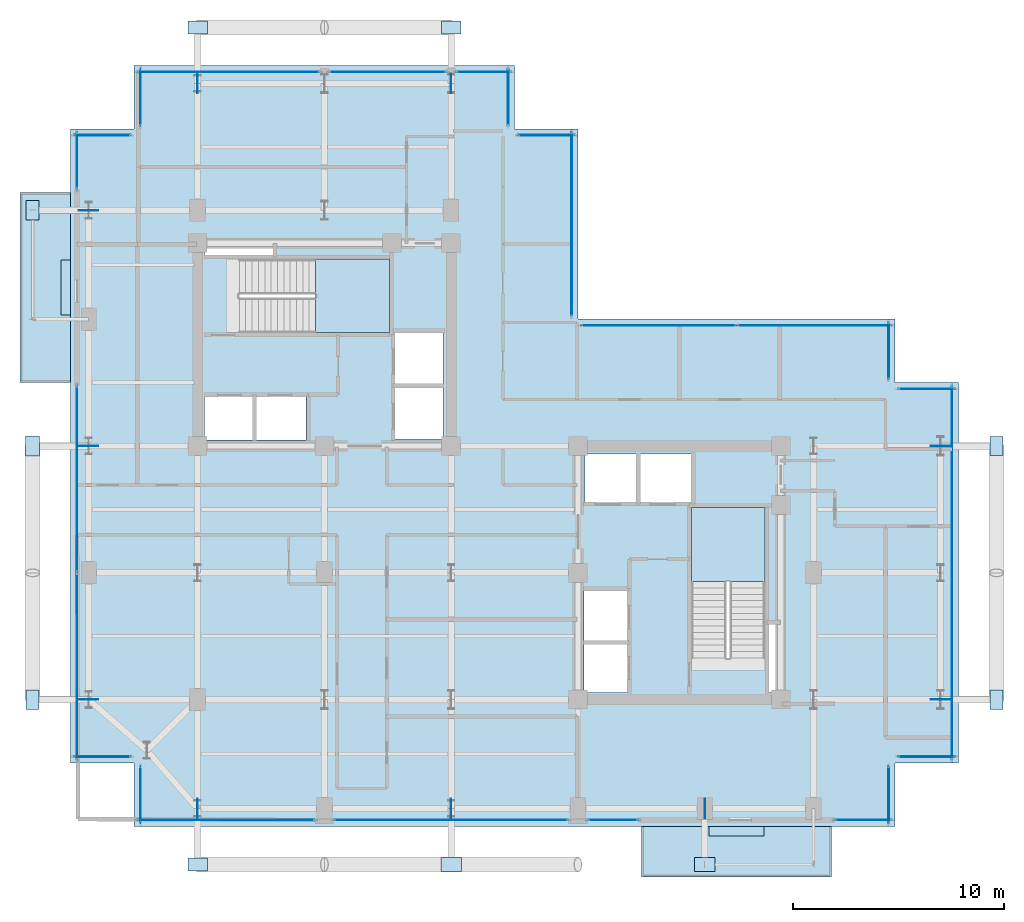
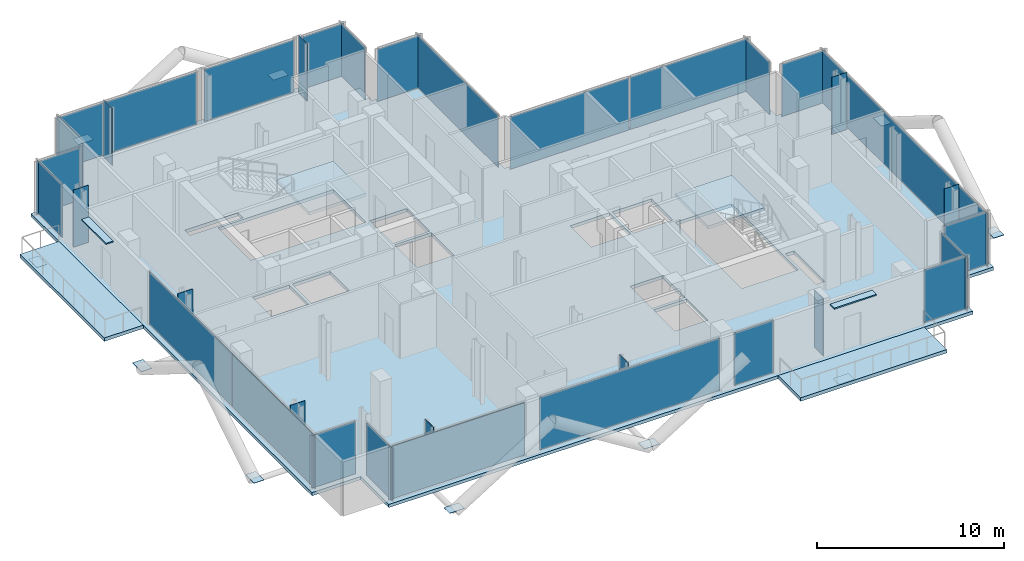
# One storey, part 16 of 25: 46 plates, 5 slabs, 24 elements without a shape of their own.
"""IFC4 building model written with IfcOpenShell, lengths in metres."""

from ifc_helpers import new_model, si_unit, direction, frame, origin, origin_2d, place, context, subcontext, project, spatial, polyline, rectangle, outline, extrude, material, layer, layer_set, type_object, element, aggregate, save


model = new_model("IFC4")

# Units and contexts
model_context = context("Model", 3, precision=1e-05, world=origin(), true_north=direction((0.0, 1.0)))
body_context = subcontext(model_context, "Body", "Model", "MODEL_VIEW")
ifc_project = project(units=[si_unit("LENGTHUNIT", "METRE"), si_unit("AREAUNIT", "SQUARE_METRE"), si_unit("VOLUMEUNIT", "CUBIC_METRE"), si_unit("PLANEANGLEUNIT", "RADIAN"), si_unit("MASSUNIT", "GRAM", prefix="KILO"), si_unit("THERMODYNAMICTEMPERATUREUNIT", "KELVIN"), si_unit("POWERUNIT", "WATT")], contexts=[model_context])

# Site, building, storey
site_placement = place(None, origin())
site = spatial("IfcSite", under=ifc_project, at=site_placement, CompositionType="ELEMENT")
building_placement = place(site_placement, origin())
building = spatial("IfcBuilding", under=site, at=building_placement, Name="Svarakhadi Broadcast Tower", CompositionType="ELEMENT")
storey_placement = place(building_placement, frame((0.0, 0.0, 227.39990234375)))
storey = spatial("IfcBuildingStorey", under=building, at=storey_placement, Name="L56", CompositionType="ELEMENT", Elevation=227.39990234375)

# Curtain wall, plate
ifc_material_1 = material(Name="Anodised Bronze Aluminium AA 6063-T6", Category="aluminium")
ifc_layer_1 = layer(ifc_material_1, 0.18994140625)
ifc_layer_set_1 = layer_set([ifc_layer_1], Name="Anodised Bronze Aluminium AA 6063-T6")
curtain_wall_type = type_object("IfcCurtainWallType", Name="CW_Sys_04", PredefinedType="NOTDEFINED", material=ifc_layer_set_1)
curtain_wall_1_placement = place(storey_placement, origin())
curtain_wall_1 = element("IfcCurtainWall", 1, at=curtain_wall_1_placement, inside=storey, type_object=curtain_wall_type, Name="L56 Unitised Facade Curtain Wall 01", PredefinedType="NOTDEFINED")
ifc_material_2 = material(Name="Double Low-E Laminated Acoustic Glass IGU 36 mm", Category="glass")
ifc_layer_2 = layer(ifc_material_2, 0.033935546875)
ifc_layer_set_2 = layer_set([ifc_layer_2], Name="Double Low-E Laminated Acoustic Glass IGU 36 mm")
plate_type_1 = type_object("IfcPlateType", Name="CW_Sys_04_Pnl", PredefinedType="CURTAIN_PANEL", material=ifc_layer_set_2)
plate_1_placement = place(storey_placement, frame((1.5, 3.300048828125, 0.06494140625), z_axis=(0.0, 0.0, 1.0), x_axis=(-1.0, 0.0, 0.0)))
plate_1 = element("IfcPlate", 2, at=plate_1_placement, type_object=plate_type_1, Name="CW-04 panel 1.1", PredefinedType="CURTAIN_PANEL", context=body_context, shape_type="SweptSolid", body=[
    extrude(rectangle(XDim=2.679931640625, YDim=0.033935546875, at=origin_2d()), origin(), (0.0, 0.0, 1.0), 3.409912109375),
])
aggregate(curtain_wall_1, [plate_1])

# Curtain wall, plates
curtain_wall_2_placement = place(storey_placement, origin())
curtain_wall_2 = element("IfcCurtainWall", 3, at=curtain_wall_2_placement, inside=storey, type_object=curtain_wall_type, Name="L56 West Curtain Wall 02", PredefinedType="NOTDEFINED")
plate_2_placement = place(storey_placement, frame((0.300048828125, 7.5625, 0.06494140625), z_axis=(0.0, 0.0, 1.0), x_axis=(0.0, 1.0, 0.0)))
plate_2 = element("IfcPlate", 4, at=plate_2_placement, type_object=plate_type_1, Name="CW-04 panel 1.1", PredefinedType="CURTAIN_PANEL", context=body_context, shape_type="SweptSolid", body=[
    extrude(rectangle(XDim=8.804931640625, YDim=0.033935546875, at=origin_2d()), origin(), (0.0, 0.0, 1.0), 3.409912109375),
])
plate_3_placement = place(storey_placement, frame((0.300048828125, 16.4375, 0.06494140625), z_axis=(0.0, 0.0, 1.0), x_axis=(0.0, 1.0, 0.0)))
plate_3 = element("IfcPlate", 5, at=plate_3_placement, type_object=plate_type_1, Name="CW-04 panel 2.1", PredefinedType="CURTAIN_PANEL", context=body_context, shape_type="SweptSolid", body=[
    extrude(rectangle(XDim=8.804931640625, YDim=0.033935546875, at=origin_2d()), origin(), (0.0, 0.0, 1.0), 3.409912109375),
])
aggregate(curtain_wall_2, [plate_2, plate_3])

# Curtain wall, plate
curtain_wall_3_placement = place(storey_placement, origin())
curtain_wall_3 = element("IfcCurtainWall", 6, at=curtain_wall_3_placement, inside=storey, type_object=curtain_wall_type, Name="L56 West Curtain Wall 03", PredefinedType="NOTDEFINED")
plate_4_placement = place(storey_placement, frame((0.300048828125, 31.5, 0.06494140625), z_axis=(0.0, 0.0, 1.0), x_axis=(0.0, 1.0, 0.0)))
plate_4 = element("IfcPlate", 7, at=plate_4_placement, type_object=plate_type_1, Name="CW-04 panel 1.1", PredefinedType="CURTAIN_PANEL", context=body_context, shape_type="SweptSolid", body=[
    extrude(rectangle(XDim=2.679931640625, YDim=0.033935546875, at=origin_2d()), origin(), (0.0, 0.0, 1.0), 3.409912109375),
])
aggregate(curtain_wall_3, [plate_4])

curtain_wall_4_placement = place(storey_placement, origin())
curtain_wall_4 = element("IfcCurtainWall", 8, at=curtain_wall_4_placement, inside=storey, type_object=curtain_wall_type, Name="L56 Unitised Facade Curtain Wall 04", PredefinedType="NOTDEFINED")
plate_5_placement = place(storey_placement, frame((1.5, 32.699951171875, 0.06494140625), z_axis=(0.0, 0.0, 1.0), x_axis=(1.0, 0.0, 0.0)))
plate_5 = element("IfcPlate", 9, at=plate_5_placement, type_object=plate_type_1, Name="CW-04 panel 1.1", PredefinedType="CURTAIN_PANEL", context=body_context, shape_type="SweptSolid", body=[
    extrude(rectangle(XDim=2.679931640625, YDim=0.033935546875, at=origin_2d()), origin(), (0.0, 0.0, 1.0), 3.409912109375),
])
aggregate(curtain_wall_4, [plate_5])

curtain_wall_5_placement = place(storey_placement, origin())
curtain_wall_5 = element("IfcCurtainWall", 10, at=curtain_wall_5_placement, inside=storey, type_object=curtain_wall_type, Name="L56 Unitised Facade Curtain Wall 05", PredefinedType="NOTDEFINED")
plate_6_placement = place(storey_placement, frame((3.300048828125, 34.5, 0.06494140625), z_axis=(0.0, 0.0, 1.0), x_axis=(0.0, 1.0, 0.0)))
plate_6 = element("IfcPlate", 11, at=plate_6_placement, type_object=plate_type_1, Name="CW-04 panel 1.1", PredefinedType="CURTAIN_PANEL", context=body_context, shape_type="SweptSolid", body=[
    extrude(rectangle(XDim=2.679931640625, YDim=0.033935546875, at=origin_2d()), origin(), (0.0, 0.0, 1.0), 3.409912109375),
])
aggregate(curtain_wall_5, [plate_6])

curtain_wall_6_placement = place(storey_placement, origin())
curtain_wall_6 = element("IfcCurtainWall", 12, at=curtain_wall_6_placement, inside=storey, type_object=curtain_wall_type, Name="L56 Unitised Facade Curtain Wall 06 Bay 1", PredefinedType="NOTDEFINED")
plate_7_placement = place(storey_placement, frame((7.4599609375, 35.699951171875, 0.06494140625), z_axis=(0.0, 0.0, 1.0), x_axis=(1.0, 0.0, 0.0)))
plate_7 = element("IfcPlate", 13, at=plate_7_placement, type_object=plate_type_1, Name="CW-04 panel 1.1", PredefinedType="CURTAIN_PANEL", context=body_context, shape_type="SweptSolid", body=[
    extrude(rectangle(XDim=8.60009765625, YDim=0.033935546875, at=origin_2d()), origin(), (0.0, 0.0, 1.0), 3.409912109375),
])
aggregate(curtain_wall_6, [plate_7])

curtain_wall_7_placement = place(storey_placement, origin())
curtain_wall_7 = element("IfcCurtainWall", 14, at=curtain_wall_7_placement, inside=storey, type_object=curtain_wall_type, Name="L56 Unitised Facade Curtain Wall 06 Bay 2", PredefinedType="NOTDEFINED")
plate_8_placement = place(storey_placement, frame((15.0, 35.699951171875, 0.06494140625), z_axis=(0.0, 0.0, 1.0), x_axis=(1.0, 0.0, 0.0)))
plate_8 = element("IfcPlate", 15, at=plate_8_placement, type_object=plate_type_1, Name="CW-04 panel 1.1", PredefinedType="CURTAIN_PANEL", context=body_context, shape_type="SweptSolid", body=[
    extrude(rectangle(XDim=5.52001953125, YDim=0.033935546875, at=origin_2d()), origin(), (0.0, 0.0, 1.0), 3.409912109375),
])
aggregate(curtain_wall_7, [plate_8])

curtain_wall_8_placement = place(storey_placement, origin())
curtain_wall_8 = element("IfcCurtainWall", 16, at=curtain_wall_8_placement, inside=storey, type_object=curtain_wall_type, Name="L56 Unitised Facade Curtain Wall 06 Bay 3", PredefinedType="NOTDEFINED")
plate_9_placement = place(storey_placement, frame((19.5400390625, 35.699951171875, 0.06494140625), z_axis=(0.0, 0.0, 1.0), x_axis=(1.0, 0.0, 0.0)))
plate_9 = element("IfcPlate", 17, at=plate_9_placement, type_object=plate_type_1, Name="CW-04 panel 1.1", PredefinedType="CURTAIN_PANEL", context=body_context, shape_type="SweptSolid", body=[
    extrude(rectangle(XDim=2.60009765625, YDim=0.033935546875, at=origin_2d()), origin(), (0.0, 0.0, 1.0), 3.409912109375),
])
aggregate(curtain_wall_8, [plate_9])

curtain_wall_9_placement = place(storey_placement, origin())
curtain_wall_9 = element("IfcCurtainWall", 18, at=curtain_wall_9_placement, inside=storey, type_object=curtain_wall_type, Name="L56 Unitised Facade Curtain Wall 07", PredefinedType="NOTDEFINED")
plate_10_placement = place(storey_placement, frame((20.699951171875, 34.5, 0.06494140625), z_axis=(0.0, 0.0, 1.0), x_axis=(0.0, -1.0, 0.0)))
plate_10 = element("IfcPlate", 19, at=plate_10_placement, type_object=plate_type_1, Name="CW-04 panel 1.1", PredefinedType="CURTAIN_PANEL", context=body_context, shape_type="SweptSolid", body=[
    extrude(rectangle(XDim=2.679931640625, YDim=0.033935546875, at=origin_2d()), origin(), (0.0, 0.0, 1.0), 3.409912109375),
])
aggregate(curtain_wall_9, [plate_10])

curtain_wall_10_placement = place(storey_placement, origin())
curtain_wall_10 = element("IfcCurtainWall", 20, at=curtain_wall_10_placement, inside=storey, type_object=curtain_wall_type, Name="L56 Unitised Facade Curtain Wall 08", PredefinedType="NOTDEFINED")
plate_11_placement = place(storey_placement, frame((22.5, 32.699951171875, 0.06494140625), z_axis=(0.0, 0.0, 1.0), x_axis=(1.0, 0.0, 0.0)))
plate_11 = element("IfcPlate", 21, at=plate_11_placement, type_object=plate_type_1, Name="CW-04 panel 1.1", PredefinedType="CURTAIN_PANEL", context=body_context, shape_type="SweptSolid", body=[
    extrude(rectangle(XDim=2.679931640625, YDim=0.033935546875, at=origin_2d()), origin(), (0.0, 0.0, 1.0), 3.409912109375),
])
aggregate(curtain_wall_10, [plate_11])

curtain_wall_11_placement = place(storey_placement, origin())
curtain_wall_11 = element("IfcCurtainWall", 22, at=curtain_wall_11_placement, inside=storey, type_object=curtain_wall_type, Name="L56 Unitised Facade Curtain Wall 09", PredefinedType="NOTDEFINED")
plate_12_placement = place(storey_placement, frame((23.699951171875, 28.5, 0.06494140625), z_axis=(0.0, 0.0, 1.0), x_axis=(0.0, -1.0, 0.0)))
plate_12 = element("IfcPlate", 23, at=plate_12_placement, type_object=plate_type_1, Name="CW-04 panel 1.1", PredefinedType="CURTAIN_PANEL", context=body_context, shape_type="SweptSolid", body=[
    extrude(rectangle(XDim=8.679931640625, YDim=0.033935546875, at=origin_2d()), origin(), (0.0, 0.0, 1.0), 3.409912109375),
])
aggregate(curtain_wall_11, [plate_12])

# Curtain wall, plates
curtain_wall_12_placement = place(storey_placement, origin())
curtain_wall_12 = element("IfcCurtainWall", 24, at=curtain_wall_12_placement, inside=storey, type_object=curtain_wall_type, Name="L56 Unitised Facade Curtain Wall 10", PredefinedType="NOTDEFINED")
plate_13_placement = place(storey_placement, frame((27.8125, 23.699951171875, 0.06494140625), z_axis=(0.0, 0.0, 1.0), x_axis=(1.0, 0.0, 0.0)))
plate_13 = element("IfcPlate", 25, at=plate_13_placement, type_object=plate_type_1, Name="CW-04 panel 1.1", PredefinedType="CURTAIN_PANEL", context=body_context, shape_type="SweptSolid", body=[
    extrude(rectangle(XDim=7.304931640625, YDim=0.033935546875, at=origin_2d()), origin(), (0.0, 0.0, 1.0), 3.409912109375),
])
plate_14_placement = place(storey_placement, frame((35.1875, 23.699951171875, 0.06494140625), z_axis=(0.0, 0.0, 1.0), x_axis=(1.0, 0.0, 0.0)))
plate_14 = element("IfcPlate", 26, at=plate_14_placement, type_object=plate_type_1, Name="CW-04 panel 2.1", PredefinedType="CURTAIN_PANEL", context=body_context, shape_type="SweptSolid", body=[
    extrude(rectangle(XDim=7.304931640625, YDim=0.033935546875, at=origin_2d()), origin(), (0.0, 0.0, 1.0), 3.409912109375),
])
aggregate(curtain_wall_12, [plate_13, plate_14])

# Curtain wall, plate
curtain_wall_13_placement = place(storey_placement, origin())
curtain_wall_13 = element("IfcCurtainWall", 27, at=curtain_wall_13_placement, inside=storey, type_object=curtain_wall_type, Name="L56 Unitised Facade Curtain Wall 11", PredefinedType="NOTDEFINED")
plate_15_placement = place(storey_placement, frame((38.699951171875, 22.5, 0.06494140625), z_axis=(0.0, 0.0, 1.0), x_axis=(0.0, -1.0, 0.0)))
plate_15 = element("IfcPlate", 28, at=plate_15_placement, type_object=plate_type_1, Name="CW-04 panel 1.1", PredefinedType="CURTAIN_PANEL", context=body_context, shape_type="SweptSolid", body=[
    extrude(rectangle(XDim=2.679931640625, YDim=0.033935546875, at=origin_2d()), origin(), (0.0, 0.0, 1.0), 3.409912109375),
])
aggregate(curtain_wall_13, [plate_15])

curtain_wall_14_placement = place(storey_placement, origin())
curtain_wall_14 = element("IfcCurtainWall", 29, at=curtain_wall_14_placement, inside=storey, type_object=curtain_wall_type, Name="L56 Unitised Facade Curtain Wall 12", PredefinedType="NOTDEFINED")
plate_16_placement = place(storey_placement, frame((40.5, 20.699951171875, 0.06494140625), z_axis=(0.0, 0.0, 1.0), x_axis=(1.0, 0.0, 0.0)))
plate_16 = element("IfcPlate", 30, at=plate_16_placement, type_object=plate_type_1, Name="CW-04 panel 1.1", PredefinedType="CURTAIN_PANEL", context=body_context, shape_type="SweptSolid", body=[
    extrude(rectangle(XDim=2.679931640625, YDim=0.033935546875, at=origin_2d()), origin(), (0.0, 0.0, 1.0), 3.409912109375),
])
aggregate(curtain_wall_14, [plate_16])

curtain_wall_15_placement = place(storey_placement, origin())
curtain_wall_15 = element("IfcCurtainWall", 31, at=curtain_wall_15_placement, inside=storey, type_object=curtain_wall_type, Name="L56 Unitised Facade Curtain Wall 13", PredefinedType="NOTDEFINED")
plate_17_placement = place(storey_placement, frame((41.699951171875, 12.0, 0.06494140625), z_axis=(0.0, 0.0, 1.0), x_axis=(0.0, -1.0, 0.0)))
plate_17 = element("IfcPlate", 32, at=plate_17_placement, type_object=plate_type_1, Name="CW-04 panel 1.1", PredefinedType="CURTAIN_PANEL", context=body_context, shape_type="SweptSolid", body=[
    extrude(rectangle(XDim=17.679931640625, YDim=0.033935546875, at=origin_2d()), origin(), (0.0, 0.0, 1.0), 3.409912109375),
])
aggregate(curtain_wall_15, [plate_17])

curtain_wall_16_placement = place(storey_placement, origin())
curtain_wall_16 = element("IfcCurtainWall", 33, at=curtain_wall_16_placement, inside=storey, type_object=curtain_wall_type, Name="L56 Unitised Facade Curtain Wall 14", PredefinedType="NOTDEFINED")
plate_18_placement = place(storey_placement, frame((40.5, 3.300048828125, 0.06494140625), z_axis=(0.0, 0.0, 1.0), x_axis=(-1.0, 0.0, 0.0)))
plate_18 = element("IfcPlate", 34, at=plate_18_placement, type_object=plate_type_1, Name="CW-04 panel 1.1", PredefinedType="CURTAIN_PANEL", context=body_context, shape_type="SweptSolid", body=[
    extrude(rectangle(XDim=2.679931640625, YDim=0.033935546875, at=origin_2d()), origin(), (0.0, 0.0, 1.0), 3.409912109375),
])
aggregate(curtain_wall_16, [plate_18])

curtain_wall_17_placement = place(storey_placement, origin())
curtain_wall_17 = element("IfcCurtainWall", 35, at=curtain_wall_17_placement, inside=storey, type_object=curtain_wall_type, Name="L56 Unitised Facade Curtain Wall 15", PredefinedType="NOTDEFINED")
plate_19_placement = place(storey_placement, frame((38.699951171875, 1.5, 0.06494140625), z_axis=(0.0, 0.0, 1.0), x_axis=(0.0, -1.0, 0.0)))
plate_19 = element("IfcPlate", 36, at=plate_19_placement, type_object=plate_type_1, Name="CW-04 panel 1.1", PredefinedType="CURTAIN_PANEL", context=body_context, shape_type="SweptSolid", body=[
    extrude(rectangle(XDim=2.679931640625, YDim=0.033935546875, at=origin_2d()), origin(), (0.0, 0.0, 1.0), 3.409912109375),
])
aggregate(curtain_wall_17, [plate_19])

curtain_wall_18_placement = place(storey_placement, origin())
curtain_wall_18 = element("IfcCurtainWall", 37, at=curtain_wall_18_placement, inside=storey, type_object=curtain_wall_type, Name="L56 South Curtain Wall 16", PredefinedType="NOTDEFINED")
plate_20_placement = place(storey_placement, frame((37.5, 0.300048828125, 0.06494140625), z_axis=(0.0, 0.0, 1.0), x_axis=(-1.0, 0.0, 0.0)))
plate_20 = element("IfcPlate", 38, at=plate_20_placement, type_object=plate_type_1, Name="CW-04 panel 1.1", PredefinedType="CURTAIN_PANEL", context=body_context, shape_type="SweptSolid", body=[
    extrude(rectangle(XDim=2.679931640625, YDim=0.033935546875, at=origin_2d()), origin(), (0.0, 0.0, 1.0), 3.409912109375),
])
aggregate(curtain_wall_18, [plate_20])

curtain_wall_19_placement = place(storey_placement, origin())
curtain_wall_19 = element("IfcCurtainWall", 39, at=curtain_wall_19_placement, inside=storey, type_object=curtain_wall_type, Name="L56 South Curtain Wall 17 Bay 1", PredefinedType="NOTDEFINED")
plate_21_placement = place(storey_placement, frame((25.652587890625, 0.300048828125, 0.06494140625), z_axis=(0.0, 0.0, 1.0), x_axis=(-1.0, 0.0, 0.0)))
plate_21 = element("IfcPlate", 40, at=plate_21_placement, type_object=plate_type_1, Name="CW-04 panel 1.1", PredefinedType="CURTAIN_PANEL", context=body_context, shape_type="SweptSolid", body=[
    extrude(rectangle(XDim=2.375, YDim=0.033935546875, at=origin_2d()), origin(), (0.0, 0.0, 1.0), 3.409912109375),
])
aggregate(curtain_wall_19, [plate_21])

curtain_wall_20_placement = place(storey_placement, origin())
curtain_wall_20 = element("IfcCurtainWall", 41, at=curtain_wall_20_placement, inside=storey, type_object=curtain_wall_type, Name="L56 South Curtain Wall 17 Bay 2", PredefinedType="NOTDEFINED")
plate_22_placement = place(storey_placement, frame((18.0, 0.300048828125, 0.06494140625), z_axis=(0.0, 0.0, 1.0), x_axis=(-1.0, 0.0, 0.0)))
plate_22 = element("IfcPlate", 42, at=plate_22_placement, type_object=plate_type_1, Name="CW-04 panel 1.1", PredefinedType="CURTAIN_PANEL", context=body_context, shape_type="SweptSolid", body=[
    extrude(rectangle(XDim=11.070068359375, YDim=0.033935546875, at=origin_2d()), origin(), (0.0, 0.0, 1.0), 3.409912109375),
])
aggregate(curtain_wall_20, [plate_22])

curtain_wall_21_placement = place(storey_placement, origin())
curtain_wall_21 = element("IfcCurtainWall", 43, at=curtain_wall_21_placement, inside=storey, type_object=curtain_wall_type, Name="L56 South Curtain Wall 17 Bay 3", PredefinedType="NOTDEFINED")
plate_23_placement = place(storey_placement, frame((7.347412109375, 0.300048828125, 0.06494140625), z_axis=(0.0, 0.0, 1.0), x_axis=(-1.0, 0.0, 0.0)))
plate_23 = element("IfcPlate", 44, at=plate_23_placement, type_object=plate_type_1, Name="CW-04 panel 1.1", PredefinedType="CURTAIN_PANEL", context=body_context, shape_type="SweptSolid", body=[
    extrude(rectangle(XDim=8.375, YDim=0.033935546875, at=origin_2d()), origin(), (0.0, 0.0, 1.0), 3.409912109375),
])
aggregate(curtain_wall_21, [plate_23])

curtain_wall_22_placement = place(storey_placement, origin())
curtain_wall_22 = element("IfcCurtainWall", 45, at=curtain_wall_22_placement, inside=storey, type_object=curtain_wall_type, Name="L56 Unitised Facade Curtain Wall 18", PredefinedType="NOTDEFINED")
plate_24_placement = place(storey_placement, frame((3.300048828125, 1.5, 0.06494140625), z_axis=(0.0, 0.0, 1.0), x_axis=(0.0, 1.0, 0.0)))
plate_24 = element("IfcPlate", 46, at=plate_24_placement, type_object=plate_type_1, Name="CW-04 panel 1.1", PredefinedType="CURTAIN_PANEL", context=body_context, shape_type="SweptSolid", body=[
    extrude(rectangle(XDim=2.679931640625, YDim=0.033935546875, at=origin_2d()), origin(), (0.0, 0.0, 1.0), 3.409912109375),
])
aggregate(curtain_wall_22, [plate_24])

# Plates
ifc_material_3 = material(Name="Steel S460ML (IS 2062 E450BR)", Category="steel")
ifc_layer_3 = layer(ifc_material_3, 0.028076171875)
ifc_layer_set_3 = layer_set([ifc_layer_3], Name="Steel S460ML (IS 2062 E450BR)")
plate_type_2 = type_object("IfcPlateType", Name="Node_Gusset_N03", PredefinedType="SHEET", material=ifc_layer_set_3)
for number, where, z_axis, x_axis, name in (
    (47, (18.0, -1.800048828125, -0.2099609375), (0.0, 0.0, 1.0), (1.0, 0.0, 0.0), "L56 Exoskeleton Gusset Node Plate S02"),
    (48, (30.0, -1.800048828125, -0.2099609375), (0.0, 0.0, 1.0), (1.0, 0.0, 0.0), "L56 Exoskeleton Gusset Node Plate S03"),
    (49, (-1.800048828125, 18.0, -0.2099609375), (0.0, 0.0, 1.0), (0.0, 1.0, 0.0), "L56 Exoskeleton Gusset Node Plate W05"),
):
    element("IfcPlate", number, at=place(storey_placement, frame(where, z_axis=z_axis, x_axis=x_axis)), inside=storey, type_object=plate_type_2, Name=name, PredefinedType="SHEET", context=body_context, shape_type="SweptSolid", body=[
        extrude(rectangle(XDim=0.9599609375, YDim=0.659912109375, at=origin_2d()), origin(), (0.0, 0.0, 1.0), 0.028076171875),
    ])
ifc_layer_4 = layer(ifc_material_3, 0.02587890625)
ifc_layer_set_4 = layer_set([ifc_layer_4], Name="Steel S460ML (IS 2062 E450BR)")
plate_type_3 = type_object("IfcPlateType", Name="Node_Gusset_N07", PredefinedType="SHEET", material=ifc_layer_set_4)
for number, where, z_axis, x_axis, name in (
    (50, (6.0, -1.800048828125, -0.2099609375), (0.0, 0.0, 1.0), (1.0, 0.0, 0.0), "L56 Exoskeleton Gusset Node Plate S01"),
    (51, (-1.800048828125, 6.0, -0.2099609375), (0.0, 0.0, 1.0), (0.0, 1.0, 0.0), "L56 Exoskeleton Gusset Node Plate W04"),
    (52, (-1.800048828125, 29.14990234375, -0.2099609375), (0.0, 0.0, 1.0), (0.0, 1.0, 0.0), "L56 Exoskeleton Gusset Node Plate W06"),
    (53, (43.800048828125, 6.0, -0.2099609375), (0.0, 0.0, 1.0), (0.0, 1.0, 0.0), "L56 Exoskeleton Gusset Node Plate E07"),
    (54, (43.800048828125, 18.0, -0.2099609375), (0.0, 0.0, 1.0), (0.0, 1.0, 0.0), "L56 Exoskeleton Gusset Node Plate E08"),
    (55, (6.0, 37.800048828125, -0.2099609375), (0.0, 0.0, 1.0), (1.0, 0.0, 0.0), "L56 Exoskeleton Gusset Node Plate N09"),
    (56, (18.0, 37.800048828125, -0.2099609375), (0.0, 0.0, 1.0), (1.0, 0.0, 0.0), "L56 Exoskeleton Gusset Node Plate N10"),
):
    element("IfcPlate", number, at=place(storey_placement, frame(where, z_axis=z_axis, x_axis=x_axis)), inside=storey, type_object=plate_type_3, Name=name, PredefinedType="SHEET", context=body_context, shape_type="SweptSolid", body=[
        extrude(rectangle(XDim=0.919921875, YDim=0.6201171875, at=origin_2d()), origin(), (0.0, 0.0, 1.0), 0.02587890625),
    ])
for number, where, z_axis, x_axis, name in (
    (57, (6.0, 0.85009765625, -0.57177734375), (0.0, 0.0, 1.0), (0.0, 1.0, 0.0), "L56 Brace End Connection Gusset Plate N-07-E0454"),
    (58, (18.0, 0.85009765625, -0.57177734375), (0.0, 0.0, 1.0), (0.0, 1.0, 0.0), "L56 Brace End Connection Gusset Plate N-07-E0455"),
    (59, (30.0, 0.85009765625, -0.57177734375), (0.0, 0.0, 1.0), (0.0, 1.0, 0.0), "L56 Brace End Connection Gusset Plate N-07-E0456"),
    (60, (0.85009765625, 6.0, -0.57177734375), (0.0, 0.0, 1.0), (1.0, 0.0, 0.0), "L56 Brace End Connection Gusset Plate N-07-E0457"),
    (61, (0.85009765625, 18.0, -0.57177734375), (0.0, 0.0, 1.0), (1.0, 0.0, 0.0), "L56 Brace End Connection Gusset Plate N-07-E0458"),
    (62, (0.85009765625, 29.14990234375, -0.57177734375), (0.0, 0.0, 1.0), (1.0, 0.0, 0.0), "L56 Brace End Connection Gusset Plate N-07-E0459"),
    (63, (41.14990234375, 6.0, -0.57177734375), (0.0, 0.0, 1.0), (1.0, 0.0, 0.0), "L56 Brace End Connection Gusset Plate N-07-E0460"),
    (64, (41.14990234375, 18.0, -0.57177734375), (0.0, 0.0, 1.0), (1.0, 0.0, 0.0), "L56 Brace End Connection Gusset Plate N-07-E0461"),
    (65, (6.0, 35.14990234375, -0.57177734375), (0.0, 0.0, 1.0), (0.0, 1.0, 0.0), "L56 Brace End Connection Gusset Plate N-07-E0462"),
    (66, (18.0, 35.14990234375, -0.57177734375), (0.0, 0.0, 1.0), (0.0, 1.0, 0.0), "L56 Brace End Connection Gusset Plate N-07-E0463"),
):
    element("IfcPlate", number, at=place(storey_placement, frame(where, z_axis=z_axis, x_axis=x_axis)), inside=storey, type_object=plate_type_3, Name=name, PredefinedType="SHEET", context=body_context, shape_type="SweptSolid", body=[
        extrude(rectangle(XDim=0.919921875, YDim=0.02587890625, at=origin_2d()), origin(), (0.0, 0.0, 1.0), 4.300048828125),
    ])

# Slab
ifc_material_4 = material(Name="Concrete C40/50 (IS 456 M50)", Category="concrete")
ifc_layer_5 = layer(ifc_material_4, 0.2099609375)
ifc_layer_set_5 = layer_set([ifc_layer_5], Name="Concrete C40/50 (IS 456 M50)")
slab_type_1 = type_object("IfcSlabType", Name="Slab_Floor_210", PredefinedType="FLOOR", material=ifc_layer_set_5)
slab_1_placement = place(storey_placement, frame((0.0, 0.0, -0.2099609375)))
element("IfcSlab", 67, at=slab_1_placement, inside=storey, type_object=slab_type_1, Name="L56 Structural Floor Slab", PredefinedType="FLOOR", context=body_context, shape_type="SweptSolid", body=[
    extrude(outline(polyline([(3.0, 0.0), (39.0, 0.0), (39.0, 3.0), (42.0, 3.0), (42.0, 21.0), (39.0, 21.0), (39.0, 24.0), (24.0, 24.0), (24.0, 33.0), (21.0, 33.0), (21.0, 36.0), (3.0, 36.0), (3.0, 33.0), (0.0, 33.0), (0.0, 3.0), (3.0, 3.0), (3.0, 0.0)]), holes=[polyline([(7.97998046875, 23.360107421875), (15.080078125, 23.360107421875), (15.080078125, 26.840087890625), (7.97998046875, 26.840087890625), (7.97998046875, 23.360107421875)]), polyline([(32.840087890625, 7.97998046875), (32.840087890625, 15.080078125), (29.360107421875, 15.080078125), (29.360107421875, 7.97998046875), (32.840087890625, 7.97998046875)]), polyline([(6.340087890625, 18.2900390625), (8.610107421875, 18.2900390625), (8.610107421875, 20.330078125), (6.340087890625, 20.330078125), (6.340087890625, 18.2900390625)]), polyline([(8.7900390625, 18.2900390625), (11.1298828125, 18.2900390625), (11.1298828125, 20.330078125), (8.7900390625, 20.330078125), (8.7900390625, 18.2900390625)]), polyline([(24.2900390625, 6.340087890625), (26.330078125, 6.340087890625), (26.330078125, 8.610107421875), (24.2900390625, 8.610107421875), (24.2900390625, 6.340087890625)]), polyline([(24.2900390625, 8.7900390625), (26.330078125, 8.7900390625), (26.330078125, 11.1298828125), (24.2900390625, 11.1298828125), (24.2900390625, 8.7900390625)]), polyline([(6.340087890625, 26.989990234375), (9.610107421875, 26.989990234375), (9.610107421875, 27.530029296875), (6.340087890625, 27.530029296875), (6.340087890625, 26.989990234375)]), polyline([(32.989990234375, 6.340087890625), (33.530029296875, 6.340087890625), (33.530029296875, 9.610107421875), (32.989990234375, 9.610107421875), (32.989990234375, 6.340087890625)]), polyline([(15.340087890625, 18.340087890625), (17.610107421875, 18.340087890625), (17.610107421875, 20.760009765625), (15.340087890625, 20.760009765625), (15.340087890625, 18.340087890625)]), polyline([(15.340087890625, 20.93994140625), (17.610107421875, 20.93994140625), (17.610107421875, 23.360107421875), (15.340087890625, 23.360107421875), (15.340087890625, 20.93994140625)]), polyline([(24.340087890625, 15.340087890625), (26.760009765625, 15.340087890625), (26.760009765625, 17.610107421875), (24.340087890625, 17.610107421875), (24.340087890625, 15.340087890625)]), polyline([(26.93994140625, 15.340087890625), (29.360107421875, 15.340087890625), (29.360107421875, 17.610107421875), (26.93994140625, 17.610107421875), (26.93994140625, 15.340087890625)])]), origin(), (0.0, 0.0, 1.0), 0.2099609375),
])

# Stair, slab
stair_type = type_object("IfcStairType", Name="Stair_Exit_Core", PredefinedType="HALF_TURN_STAIR", material=ifc_material_4)
stair_1_placement = place(storey_placement, origin())
stair_1 = element("IfcStair", 68, at=stair_1_placement, inside=storey, type_object=stair_type, Name="L56 West Core Protected Exit Stair ST-01", PredefinedType="HALF_TURN_STAIR")
ifc_layer_6 = layer(ifc_material_4, 0.199951171875)
ifc_layer_set_6 = layer_set([ifc_layer_6], Name="Concrete C40/50 (IS 456 M50)")
slab_type_2 = type_object("IfcSlabType", Name="Slab_Stair_Land", PredefinedType="LANDING", material=ifc_layer_set_6)
slab_2_placement = place(storey_placement, frame((0.0, 0.0, 1.675048828125)))
slab_2 = element("IfcSlab", 69, at=slab_2_placement, type_object=slab_type_2, Name="ST-01 landing 1", PredefinedType="LANDING", context=body_context, shape_type="SweptSolid", body=[
    extrude(outline(polyline([(11.580078125, 23.360107421875), (15.080078125, 23.360107421875), (15.080078125, 26.840087890625), (11.580078125, 26.840087890625), (11.580078125, 23.360107421875)])), origin(), (0.0, 0.0, 1.0), 0.199951171875),
])
aggregate(stair_1, [slab_2])

stair_2_placement = place(storey_placement, origin())
stair_2 = element("IfcStair", 70, at=stair_2_placement, inside=storey, type_object=stair_type, Name="L56 East Core Protected Exit Stair ST-02", PredefinedType="HALF_TURN_STAIR")
slab_3_placement = place(storey_placement, frame((0.0, 0.0, 1.675048828125)))
slab_3 = element("IfcSlab", 71, at=slab_3_placement, type_object=slab_type_2, Name="ST-02 landing 1", PredefinedType="LANDING", context=body_context, shape_type="SweptSolid", body=[
    extrude(outline(polyline([(32.840087890625, 11.580078125), (32.840087890625, 15.080078125), (29.360107421875, 15.080078125), (29.360107421875, 11.580078125), (32.840087890625, 11.580078125)])), origin(), (0.0, 0.0, 1.0), 0.199951171875),
])
aggregate(stair_2, [slab_3])

# Slabs
ifc_layer_7 = layer(ifc_material_4, 0.22509765625)
ifc_layer_set_7 = layer_set([ifc_layer_7], Name="Concrete C40/50 (IS 456 M50)")
slab_type_3 = type_object("IfcSlabType", Name="Slab_TreeBalcony", PredefinedType="FLOOR", material=ifc_layer_set_7)
slab_4_placement = place(storey_placement, frame((0.0, 0.0, -0.224853515625)))
element("IfcSlab", 72, at=slab_4_placement, inside=storey, type_object=slab_type_3, Name="L56 Planted Tree Balcony Slab BAL-E", PredefinedType="FLOOR", context=body_context, shape_type="SweptSolid", body=[
    extrude(outline(polyline([(27.0, -2.39990234375), (36.0, -2.39990234375), (36.0, 0.0), (27.0, 0.0), (27.0, -2.39990234375)])), origin(), (0.0, 0.0, 1.0), 0.224853515625),
])
slab_5_placement = place(storey_placement, frame((0.0, 0.0, -0.224853515625)))
element("IfcSlab", 73, at=slab_5_placement, inside=storey, type_object=slab_type_3, Name="L56 Planted Tree Balcony Slab BAL-N", PredefinedType="FLOOR", context=body_context, shape_type="SweptSolid", body=[
    extrude(outline(polyline([(-2.39990234375, 21.0), (0.0, 21.0), (0.0, 30.0), (-2.39990234375, 30.0), (-2.39990234375, 21.0)])), origin(), (0.0, 0.0, 1.0), 0.224853515625),
])

# Plates
ifc_layer_8 = layer(ifc_material_1, 0.080078125)
ifc_layer_set_8 = layer_set([ifc_layer_8], Name="Anodised Bronze Aluminium AA 6063-T6")
plate_type_4 = type_object("IfcPlateType", Name="Sunshade_Fin_SS01", PredefinedType="USERDEFINED", material=ifc_layer_set_8)
for number, where, z_axis, x_axis, name in (
    (74, (31.5, -0.22509765625, 3.4599609375), (0.0, 0.0, 1.0), (1.0, 0.0, 0.0), "L56 South Bronze Brise-Soleil Sunshade SS-01"),
    (75, (-0.22509765625, 25.5, 3.4599609375), (0.0, 0.0, 1.0), (0.0, 1.0, 0.0), "L56 West Bronze Brise-Soleil Sunshade SS-01"),
):
    element("IfcPlate", number, at=place(storey_placement, frame(where, z_axis=z_axis, x_axis=x_axis)), inside=storey, type_object=plate_type_4, Name=name, ObjectType="SUNSHADE", PredefinedType="USERDEFINED", context=body_context, shape_type="SweptSolid", body=[
        extrude(rectangle(XDim=2.60009765625, YDim=0.449951171875, at=origin_2d()), origin(), (0.0, 0.0, 1.0), 0.080078125),
    ])

save(model, "model.ifc")
